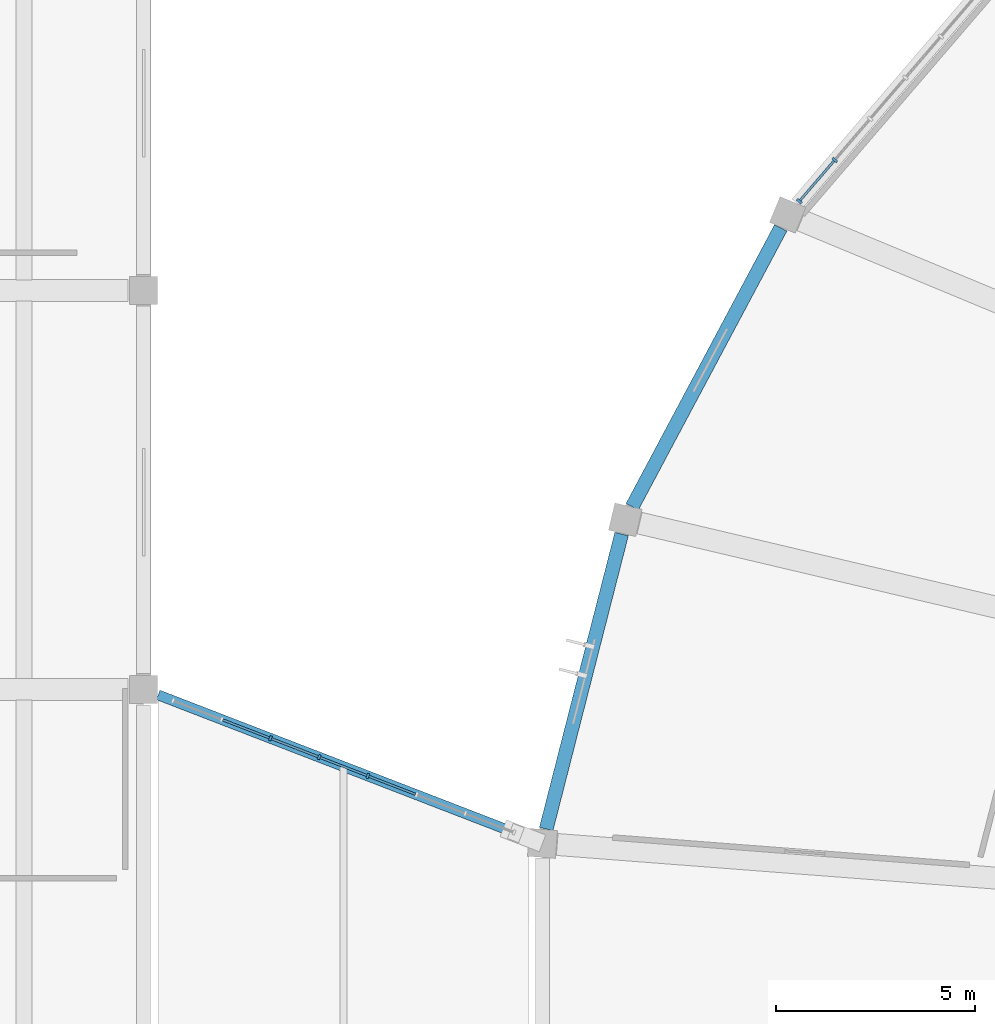
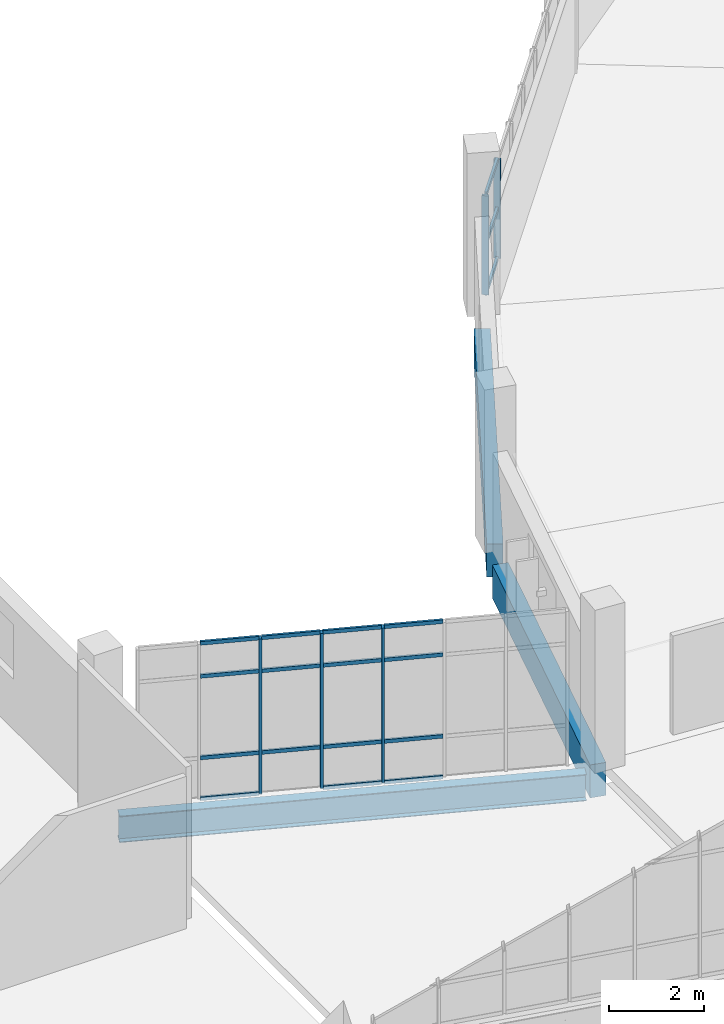
# One storey, part 10 of 142: 23 members, 3 beams, 2 elements without a shape of their own.
"""IFC4 building model written with IfcOpenShell, lengths in metres."""

from ifc_helpers import new_model, si_unit, direction, frame, origin, origin_2d, place, context, subcontext, project, spatial, rectangle, i_section, extrude, material, layer, layer_set, material_profile, profile_set, type_object, element, aggregate, save


model = new_model("IFC4")

# Units and contexts
model_context = context("Model", 3, precision=1e-05, world=origin(), true_north=direction((0.0, 1.0)))
body_context = subcontext(model_context, "Body", "Model", "MODEL_VIEW")
ifc_project = project(units=[si_unit("LENGTHUNIT", "METRE"), si_unit("AREAUNIT", "SQUARE_METRE"), si_unit("VOLUMEUNIT", "CUBIC_METRE"), si_unit("PLANEANGLEUNIT", "RADIAN"), si_unit("MASSUNIT", "GRAM", prefix="KILO")], contexts=[model_context])

# Site, building, storey
site_placement = place(None, origin())
site = spatial("IfcSite", under=ifc_project, at=site_placement, CompositionType="ELEMENT")
building_placement = place(site_placement, origin())
building = spatial("IfcBuilding", under=site, at=building_placement, Name="Corvandel Quay Wholesale Market", CompositionType="ELEMENT")
storey_placement = place(building_placement, frame((0.0, 0.0, 10.800048828125)))
storey = spatial("IfcBuildingStorey", under=building, at=storey_placement, Name="L02", CompositionType="ELEMENT", Elevation=10.800048828125)

# Beam
ifc_material_1 = material(Name="Steel A992 Grade 50", Category="steel")
ifc_material_profile_1 = material_profile(ifc_material_1, i_section(OverallWidth=0.25390625, OverallDepth=0.68310546875, WebThickness=0.012451171875, FlangeThickness=0.018798828125, at=origin_2d()), Name="W27X94")
ifc_profile_set_1 = profile_set([ifc_material_profile_1], Name="Steel A992 Grade 50")
beam_type_1 = type_object("IfcBeamType", Name="Bridge Link Steel Girder SG01 W27X94", PredefinedType="USERDEFINED", material=ifc_profile_set_1)
beam_1_placement = place(storey_placement, frame((50.36376953125, 49.859619140625, -0.5615234375), z_axis=(0.932812921321, -0.360361004851, 0.0), x_axis=(0.360361004851, 0.932812921321, 0.0)))
element("IfcBeam", 1, at=beam_1_placement, inside=storey, type_object=beam_type_1, Name="Beam BM-1784", ObjectType="GIRDER", PredefinedType="USERDEFINED", context=body_context, shape_type="SweptSolid", body=[
    extrude(i_section(OverallWidth=0.25390625, OverallDepth=0.68310546875, WebThickness=0.012451171875, FlangeThickness=0.018798828125, at=origin_2d()), origin(), (0.0, 0.0, 1.0), 9.965087890625),
])

# Curtain wall, members
ifc_material_2 = material(Name="Bronze anodised aluminium and low-E insulated glazing", Category="aluminium")
ifc_layer_1 = layer(ifc_material_2, 0.174072265625)
ifc_layer_set_1 = layer_set([ifc_layer_1], Name="Bronze anodised aluminium and low-E insulated glazing")
curtain_wall_type_1 = type_object("IfcCurtainWallType", Name="Stick Curtain Wall System CW22 H4980", PredefinedType="NOTDEFINED", material=ifc_layer_set_1)
curtain_wall_1_placement = place(storey_placement, origin())
curtain_wall_1 = element("IfcCurtainWall", 2, at=curtain_wall_1_placement, inside=storey, type_object=curtain_wall_type_1, Name="Curtain Wall CW-0175", PredefinedType="NOTDEFINED")
ifc_material_3 = material(Name="Anodised aluminium 6063-T6", Category="aluminium")
ifc_material_profile_2 = material_profile(ifc_material_3, rectangle(XDim=0.06005859375, YDim=0.1298828125, at=origin_2d()), Name="ALU-MUL-60x130")
ifc_profile_set_2 = profile_set([ifc_material_profile_2], Name="Anodised aluminium 6063-T6")
member_type_1 = type_object("IfcMemberType", Name="Clerestory Mullion ML03 60x130", PredefinedType="MULLION", material=ifc_profile_set_2)
member_1_placement = place(storey_placement, frame((53.1796875, 48.771728515625, -0.030029296875), z_axis=(0.0, 0.0, 1.0), x_axis=(-0.932827815397, 0.3603224484, 0.0)))
member_1 = element("IfcMember", 3, at=member_1_placement, type_object=member_type_1, Name="Mullion CW-0175-M02", PredefinedType="MULLION", context=body_context, shape_type="SweptSolid", body=[
    extrude(rectangle(XDim=0.06005859375, YDim=0.1298828125, at=origin_2d()), origin(), (0.0, 0.0, 1.0), 4.0),
])
member_2_placement = place(storey_placement, frame((54.40087890625, 48.2998046875, -0.030029296875), z_axis=(0.0, 0.0, 1.0), x_axis=(-0.932827815397, 0.3603224484, 0.0)))
member_2 = element("IfcMember", 4, at=member_2_placement, type_object=member_type_1, Name="Mullion CW-0175-M03", PredefinedType="MULLION", context=body_context, shape_type="SweptSolid", body=[
    extrude(rectangle(XDim=0.06005859375, YDim=0.1298828125, at=origin_2d()), origin(), (0.0, 0.0, 1.0), 4.0),
])
member_3_placement = place(storey_placement, frame((55.622314453125, 47.828125, -0.030029296875), z_axis=(0.0, 0.0, 1.0), x_axis=(-0.932827815397, 0.3603224484, 0.0)))
member_3 = element("IfcMember", 5, at=member_3_placement, type_object=member_type_1, Name="Mullion CW-0175-M04", PredefinedType="MULLION", context=body_context, shape_type="SweptSolid", body=[
    extrude(rectangle(XDim=0.06005859375, YDim=0.1298828125, at=origin_2d()), origin(), (0.0, 0.0, 1.0), 4.0),
])
ifc_material_profile_3 = material_profile(ifc_material_3, rectangle(XDim=0.054931640625, YDim=0.094970703125, at=origin_2d()), Name="ALU-TRN-55x95")
ifc_profile_set_3 = profile_set([ifc_material_profile_3], Name="Anodised aluminium 6063-T6")
member_type_2 = type_object("IfcMemberType", Name="Clerestory Transom TR03 55x95", PredefinedType="USERDEFINED", material=ifc_profile_set_3)
member_4_placement = place(storey_placement, frame((51.986083984375, 49.232666015625, -0.030029296875), z_axis=(0.932830974992, -0.360314268514, 0.0), x_axis=(0.360314268514, 0.932830974992, 0.0)))
member_4 = element("IfcMember", 6, at=member_4_placement, type_object=member_type_2, Name="Transom CW-0175-T01-0", ObjectType="TRANSOM", PredefinedType="USERDEFINED", context=body_context, shape_type="SweptSolid", body=[
    extrude(rectangle(XDim=0.054931640625, YDim=0.094970703125, at=origin_2d()), origin(), (0.0, 0.0, 1.0), 1.24951171875),
])
member_5_placement = place(storey_placement, frame((51.986083984375, 49.232666015625, 1.02001953125), z_axis=(0.932830974992, -0.360314268514, 0.0), x_axis=(0.360314268514, 0.932830974992, 0.0)))
member_5 = element("IfcMember", 7, at=member_5_placement, type_object=member_type_2, Name="Transom CW-0175-T01-1", ObjectType="TRANSOM", PredefinedType="USERDEFINED", context=body_context, shape_type="SweptSolid", body=[
    extrude(rectangle(XDim=0.054931640625, YDim=0.094970703125, at=origin_2d()), origin(), (0.0, 0.0, 1.0), 1.24951171875),
])
member_6_placement = place(storey_placement, frame((51.986083984375, 49.232666015625, 3.119873046875), z_axis=(0.932830974992, -0.360314268514, 0.0), x_axis=(0.360314268514, 0.932830974992, 0.0)))
member_6 = element("IfcMember", 8, at=member_6_placement, type_object=member_type_2, Name="Transom CW-0175-T01-2", ObjectType="TRANSOM", PredefinedType="USERDEFINED", context=body_context, shape_type="SweptSolid", body=[
    extrude(rectangle(XDim=0.054931640625, YDim=0.094970703125, at=origin_2d()), origin(), (0.0, 0.0, 1.0), 1.24951171875),
])
member_7_placement = place(storey_placement, frame((51.986083984375, 49.232666015625, 3.969970703125), z_axis=(0.932830974992, -0.360314268514, 0.0), x_axis=(0.360314268514, 0.932830974992, 0.0)))
member_7 = element("IfcMember", 9, at=member_7_placement, type_object=member_type_2, Name="Transom CW-0175-T01-3", ObjectType="TRANSOM", PredefinedType="USERDEFINED", context=body_context, shape_type="SweptSolid", body=[
    extrude(rectangle(XDim=0.054931640625, YDim=0.094970703125, at=origin_2d()), origin(), (0.0, 0.0, 1.0), 1.24951171875),
])
member_8_placement = place(storey_placement, frame((53.20751953125, 48.760986328125, 1.02001953125), z_axis=(0.932830974992, -0.360314268514, 0.0), x_axis=(0.360314268514, 0.932830974992, 0.0)))
member_8 = element("IfcMember", 10, at=member_8_placement, type_object=member_type_2, Name="Transom CW-0175-T02-1", ObjectType="TRANSOM", PredefinedType="USERDEFINED", context=body_context, shape_type="SweptSolid", body=[
    extrude(rectangle(XDim=0.054931640625, YDim=0.094970703125, at=origin_2d()), origin(), (0.0, 0.0, 1.0), 1.24951171875),
])
member_9_placement = place(storey_placement, frame((53.20751953125, 48.760986328125, 3.119873046875), z_axis=(0.932830974992, -0.360314268514, 0.0), x_axis=(0.360314268514, 0.932830974992, 0.0)))
member_9 = element("IfcMember", 11, at=member_9_placement, type_object=member_type_2, Name="Transom CW-0175-T02-2", ObjectType="TRANSOM", PredefinedType="USERDEFINED", context=body_context, shape_type="SweptSolid", body=[
    extrude(rectangle(XDim=0.054931640625, YDim=0.094970703125, at=origin_2d()), origin(), (0.0, 0.0, 1.0), 1.24951171875),
])
member_10_placement = place(storey_placement, frame((53.20751953125, 48.760986328125, 3.969970703125), z_axis=(0.932830974992, -0.360314268514, 0.0), x_axis=(0.360314268514, 0.932830974992, 0.0)))
member_10 = element("IfcMember", 12, at=member_10_placement, type_object=member_type_2, Name="Transom CW-0175-T02-3", ObjectType="TRANSOM", PredefinedType="USERDEFINED", context=body_context, shape_type="SweptSolid", body=[
    extrude(rectangle(XDim=0.054931640625, YDim=0.094970703125, at=origin_2d()), origin(), (0.0, 0.0, 1.0), 1.24951171875),
])
member_11_placement = place(storey_placement, frame((54.428955078125, 48.2890625, -0.030029296875), z_axis=(0.932805600216, -0.360379955332, 0.0), x_axis=(0.360379955332, 0.932805600216, 0.0)))
member_11 = element("IfcMember", 13, at=member_11_placement, type_object=member_type_2, Name="Transom CW-0175-T03-0", ObjectType="TRANSOM", PredefinedType="USERDEFINED", context=body_context, shape_type="SweptSolid", body=[
    extrude(rectangle(XDim=0.054931640625, YDim=0.094970703125, at=origin_2d()), origin(), (0.0, 0.0, 1.0), 1.249267578125),
])
member_12_placement = place(storey_placement, frame((54.428955078125, 48.2890625, 1.02001953125), z_axis=(0.932805600216, -0.360379955332, 0.0), x_axis=(0.360379955332, 0.932805600216, 0.0)))
member_12 = element("IfcMember", 14, at=member_12_placement, type_object=member_type_2, Name="Transom CW-0175-T03-1", ObjectType="TRANSOM", PredefinedType="USERDEFINED", context=body_context, shape_type="SweptSolid", body=[
    extrude(rectangle(XDim=0.054931640625, YDim=0.094970703125, at=origin_2d()), origin(), (0.0, 0.0, 1.0), 1.249267578125),
])
member_13_placement = place(storey_placement, frame((54.428955078125, 48.2890625, 3.119873046875), z_axis=(0.932805600216, -0.360379955332, 0.0), x_axis=(0.360379955332, 0.932805600216, 0.0)))
member_13 = element("IfcMember", 15, at=member_13_placement, type_object=member_type_2, Name="Transom CW-0175-T03-2", ObjectType="TRANSOM", PredefinedType="USERDEFINED", context=body_context, shape_type="SweptSolid", body=[
    extrude(rectangle(XDim=0.054931640625, YDim=0.094970703125, at=origin_2d()), origin(), (0.0, 0.0, 1.0), 1.249267578125),
])
member_14_placement = place(storey_placement, frame((54.428955078125, 48.2890625, 3.969970703125), z_axis=(0.932805600216, -0.360379955332, 0.0), x_axis=(0.360379955332, 0.932805600216, 0.0)))
member_14 = element("IfcMember", 16, at=member_14_placement, type_object=member_type_2, Name="Transom CW-0175-T03-3", ObjectType="TRANSOM", PredefinedType="USERDEFINED", context=body_context, shape_type="SweptSolid", body=[
    extrude(rectangle(XDim=0.054931640625, YDim=0.094970703125, at=origin_2d()), origin(), (0.0, 0.0, 1.0), 1.249267578125),
])
member_15_placement = place(storey_placement, frame((55.650390625, 47.8173828125, -0.030029296875), z_axis=(0.932805600216, -0.360379955332, 0.0), x_axis=(0.360379955332, 0.932805600216, 0.0)))
member_15 = element("IfcMember", 17, at=member_15_placement, type_object=member_type_2, Name="Transom CW-0175-T04-0", ObjectType="TRANSOM", PredefinedType="USERDEFINED", context=body_context, shape_type="SweptSolid", body=[
    extrude(rectangle(XDim=0.054931640625, YDim=0.094970703125, at=origin_2d()), origin(), (0.0, 0.0, 1.0), 1.249267578125),
])
member_16_placement = place(storey_placement, frame((55.650390625, 47.8173828125, 1.02001953125), z_axis=(0.932805600216, -0.360379955332, 0.0), x_axis=(0.360379955332, 0.932805600216, 0.0)))
member_16 = element("IfcMember", 18, at=member_16_placement, type_object=member_type_2, Name="Transom CW-0175-T04-1", ObjectType="TRANSOM", PredefinedType="USERDEFINED", context=body_context, shape_type="SweptSolid", body=[
    extrude(rectangle(XDim=0.054931640625, YDim=0.094970703125, at=origin_2d()), origin(), (0.0, 0.0, 1.0), 1.249267578125),
])
member_17_placement = place(storey_placement, frame((55.650390625, 47.8173828125, 3.119873046875), z_axis=(0.932805600216, -0.360379955332, 0.0), x_axis=(0.360379955332, 0.932805600216, 0.0)))
member_17 = element("IfcMember", 19, at=member_17_placement, type_object=member_type_2, Name="Transom CW-0175-T04-2", ObjectType="TRANSOM", PredefinedType="USERDEFINED", context=body_context, shape_type="SweptSolid", body=[
    extrude(rectangle(XDim=0.054931640625, YDim=0.094970703125, at=origin_2d()), origin(), (0.0, 0.0, 1.0), 1.249267578125),
])
member_18_placement = place(storey_placement, frame((55.650390625, 47.8173828125, 3.969970703125), z_axis=(0.932805600216, -0.360379955332, 0.0), x_axis=(0.360379955332, 0.932805600216, 0.0)))
member_18 = element("IfcMember", 20, at=member_18_placement, type_object=member_type_2, Name="Transom CW-0175-T04-3", ObjectType="TRANSOM", PredefinedType="USERDEFINED", context=body_context, shape_type="SweptSolid", body=[
    extrude(rectangle(XDim=0.054931640625, YDim=0.094970703125, at=origin_2d()), origin(), (0.0, 0.0, 1.0), 1.249267578125),
])
aggregate(curtain_wall_1, [member_1, member_2, member_3, member_4, member_5, member_6, member_7, member_8, member_9, member_10, member_11, member_12, member_13, member_14, member_15, member_16, member_17, member_18])

ifc_layer_2 = layer(ifc_material_2, 0.162109375)
ifc_layer_set_2 = layer_set([ifc_layer_2], Name="Bronze anodised aluminium and low-E insulated glazing")
curtain_wall_type_2 = type_object("IfcCurtainWallType", Name="Stick Curtain Wall System CW21 H4890", PredefinedType="NOTDEFINED", material=ifc_layer_set_2)
curtain_wall_2_placement = place(storey_placement, origin())
curtain_wall_2 = element("IfcCurtainWall", 21, at=curtain_wall_2_placement, inside=storey, type_object=curtain_wall_type_2, Name="Curtain Wall CW-0037", PredefinedType="NOTDEFINED")
ifc_material_profile_4 = material_profile(ifc_material_3, rectangle(XDim=0.06494140625, YDim=0.14990234375, at=origin_2d()), Name="ALU-MUL-65x150")
ifc_profile_set_4 = profile_set([ifc_material_profile_4], Name="Anodised aluminium 6063-T6")
member_type_3 = type_object("IfcMemberType", Name="Curtain Wall Mullion ML02 65x150", PredefinedType="MULLION", material=ifc_profile_set_4)
member_19_placement = place(storey_placement, frame((67.326416015625, 63.26806640625, 0.0), z_axis=(0.0, 0.0, 1.0), x_axis=(0.651568967347, 0.758589401976, 0.0)))
member_19 = element("IfcMember", 22, at=member_19_placement, type_object=member_type_3, Name="Mullion CW-0037-M05", PredefinedType="MULLION", context=body_context, shape_type="SweptSolid", body=[
    extrude(rectangle(XDim=0.06494140625, YDim=0.14990234375, at=origin_2d()), origin(), (0.0, 0.0, 1.0), 2.550048828125),
])
member_20_placement = place(storey_placement, frame((66.439208984375, 62.2353515625, 0.0), z_axis=(0.0, 0.0, 1.0), x_axis=(0.651568967347, 0.758589401976, 0.0)))
member_20 = element("IfcMember", 23, at=member_20_placement, type_object=member_type_3, Name="Mullion CW-0037-M06", PredefinedType="MULLION", context=body_context, shape_type="SweptSolid", body=[
    extrude(rectangle(XDim=0.06494140625, YDim=0.14990234375, at=origin_2d()), origin(), (0.0, 0.0, 1.0), 2.550048828125),
])
ifc_material_profile_5 = material_profile(ifc_material_3, rectangle(XDim=0.06005859375, YDim=0.110107421875, at=origin_2d()), Name="ALU-TRN-60x110")
ifc_profile_set_5 = profile_set([ifc_material_profile_5], Name="Anodised aluminium 6063-T6")
member_type_4 = type_object("IfcMemberType", Name="Curtain Wall Transom TR02 60x110", PredefinedType="USERDEFINED", material=ifc_profile_set_5)
member_21_placement = place(storey_placement, frame((67.30517578125, 63.243408203125, 0.0), z_axis=(-0.651597471756, -0.758564917987, 0.0), x_axis=(0.758564917987, -0.651597471756, 0.0)))
member_21 = element("IfcMember", 24, at=member_21_placement, type_object=member_type_4, Name="Transom CW-0037-T05-0", ObjectType="TRANSOM", PredefinedType="USERDEFINED", context=body_context, shape_type="SweptSolid", body=[
    extrude(rectangle(XDim=0.06005859375, YDim=0.110107421875, at=origin_2d()), origin(), (0.0, 0.0, 1.0), 1.29638671875),
])
member_22_placement = place(storey_placement, frame((67.30517578125, 63.243408203125, 1.27490234375), z_axis=(-0.651597471756, -0.758564917987, 0.0), x_axis=(0.758564917987, -0.651597471756, 0.0)))
member_22 = element("IfcMember", 25, at=member_22_placement, type_object=member_type_4, Name="Transom CW-0037-T05-1", ObjectType="TRANSOM", PredefinedType="USERDEFINED", context=body_context, shape_type="SweptSolid", body=[
    extrude(rectangle(XDim=0.06005859375, YDim=0.110107421875, at=origin_2d()), origin(), (0.0, 0.0, 1.0), 1.29638671875),
])
member_23_placement = place(storey_placement, frame((67.30517578125, 63.243408203125, 2.550048828125), z_axis=(-0.651597471756, -0.758564917987, 0.0), x_axis=(0.758564917987, -0.651597471756, 0.0)))
member_23 = element("IfcMember", 26, at=member_23_placement, type_object=member_type_4, Name="Transom CW-0037-T05-2", ObjectType="TRANSOM", PredefinedType="USERDEFINED", context=body_context, shape_type="SweptSolid", body=[
    extrude(rectangle(XDim=0.06005859375, YDim=0.110107421875, at=origin_2d()), origin(), (0.0, 0.0, 1.0), 1.29638671875),
])
aggregate(curtain_wall_2, [member_19, member_20, member_21, member_22, member_23])

# Beams
ifc_material_4 = material(Name="Precast concrete C45/55", Category="concrete")
ifc_material_profile_6 = material_profile(ifc_material_4, rectangle(XDim=0.35009765625, YDim=0.85009765625, at=origin_2d()), Name="PC-SPN-350x850")
ifc_profile_set_6 = profile_set([ifc_material_profile_6], Name="Precast concrete C45/55")
beam_type_2 = type_object("IfcBeamType", Name="Perimeter Precast Spandrel SP01 350x850", PredefinedType="SPANDREL", material=ifc_profile_set_6)
beam_2_placement = place(storey_placement, frame((65.97216796875, 61.5673828125, -0.7451171875), z_axis=(-0.470148166792, -0.882587503459, 0.0), x_axis=(0.882587503459, -0.470148166792, 0.0)))
element("IfcBeam", 27, at=beam_2_placement, inside=storey, type_object=beam_type_2, Name="Beam BM-0172", PredefinedType="SPANDREL", context=body_context, shape_type="SweptSolid", body=[
    extrude(rectangle(XDim=0.35009765625, YDim=0.85009765625, at=origin_2d()), origin(), (0.0, 0.0, 1.0), 7.919677734375),
])
beam_3_placement = place(storey_placement, frame((61.9833984375, 53.892578125, -0.7451171875), z_axis=(-0.247753681304, -0.968823055775, 0.0), x_axis=(0.968823055775, -0.247753681304, 0.0)))
element("IfcBeam", 28, at=beam_3_placement, inside=storey, type_object=beam_type_2, Name="Beam BM-0185", PredefinedType="SPANDREL", context=body_context, shape_type="SweptSolid", body=[
    extrude(rectangle(XDim=0.35009765625, YDim=0.85009765625, at=origin_2d()), origin(), (0.0, 0.0, 1.0), 7.635009765625),
])

save(model, "model.ifc")
